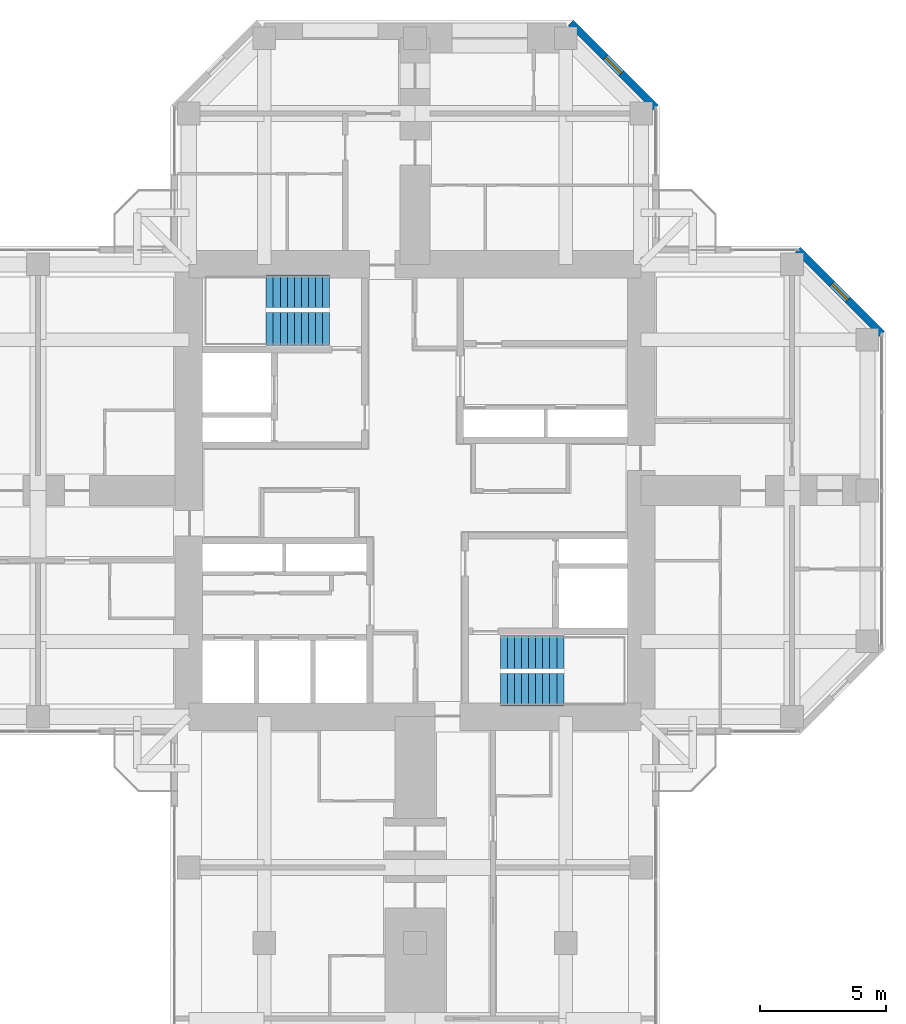
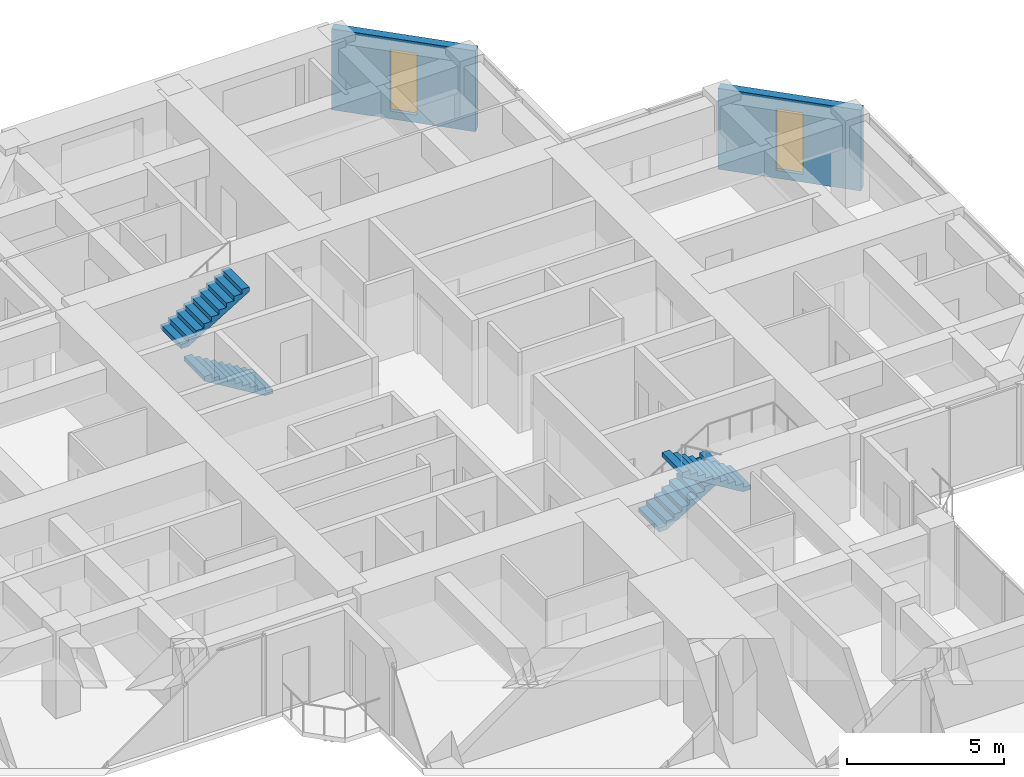
# One storey, part 13 of 14: 4 stair flights, 2 walls, 2 windows, 2 openings, 2 elements without a shape of their own.
"""IFC4 building model written with IfcOpenShell, lengths in metres."""

import ifcopenshell
import ifcopenshell.guid

model = None  # the IFC model being written
_history = None  # IfcOwnerHistory: only IFC2X3 demands one
_inside = {}  # id of a spatial element -> (the spatial element, [elements in it])
_under = {}  # id of a project, library or spatial element -> (it, [spatial elements below it])
_declared = {}  # id of a project -> (the project, [libraries it declares])
_typed = {}  # id of a type object -> (the type object, [elements of that type])
_made_of = {}  # id of a material, layer set ... -> (it, [elements and type objects made of it])


def new_model(schema):
    """Start an empty IFC model of exactly this schema.

    Asked for "IFC4X3", IfcOpenShell would pick the latest addendum, in which some entities
    have other attributes; the version numbers below select the first issue.
    IFC2X3 requires an IfcOwnerHistory on every rooted entity: one is made here for all.
    """
    global model, _history
    if schema == "IFC4X3":
        model = ifcopenshell.file(schema_version=(4, 3, 0, 0))
    else:
        model = ifcopenshell.file(schema=schema)
    _inside.clear()
    _under.clear()
    _declared.clear()
    _typed.clear()
    _made_of.clear()
    _history = None
    if model.schema == "IFC2X3":
        org = make("IfcOrganization", Name="unknown")
        user = make(
            "IfcPersonAndOrganization",
            ThePerson=make("IfcPerson", FamilyName="unknown"),
            TheOrganization=org,
        )
        app = make(
            "IfcApplication",
            ApplicationDeveloper=org,
            Version="unknown",
            ApplicationFullName="unknown",
            ApplicationIdentifier="unknown",
        )
        _history = make(
            "IfcOwnerHistory",
            OwningUser=user,
            OwningApplication=app,
            ChangeAction="ADDED",
            CreationDate=0,
        )
    return model


def make(cls, **values):
    """One entity of the class cls with the attributes given. An attribute that is None is left unset."""
    return model.create_entity(
        cls, **{name: value for name, value in values.items() if value is not None}
    )


def rooted(cls, **values):
    """An entity with a GlobalId (a new one), such as an element, a storey or a relation."""
    return make(cls, GlobalId=ifcopenshell.guid.new(), OwnerHistory=_history, **values)


def si_unit(unit_type, name, prefix=None):
    """IfcSIUnit, for example si_unit("LENGTHUNIT", "METRE", prefix="MILLI")."""
    return make("IfcSIUnit", UnitType=unit_type, Prefix=prefix, Name=name)


def assignment(units):
    """IfcUnitAssignment: the units of a project."""
    return None if units is None else make("IfcUnitAssignment", Units=units)


def point(xyz):
    """IfcCartesianPoint."""
    return None if xyz is None else make("IfcCartesianPoint", Coordinates=xyz)


def direction(xyz):
    """IfcDirection."""
    return None if xyz is None else make("IfcDirection", DirectionRatios=xyz)


def frame(location, z_axis=None, x_axis=None):
    """IfcAxis2Placement3D, a coordinate frame: its origin and axes. An axis left out is left unset."""
    return make(
        "IfcAxis2Placement3D",
        Location=point(location),
        Axis=direction(z_axis),
        RefDirection=direction(x_axis),
    )


def frame_2d(location, x_axis=None):
    """IfcAxis2Placement2D, a coordinate frame in the plane: its origin and x axis."""
    return make(
        "IfcAxis2Placement2D", Location=point(location), RefDirection=direction(x_axis)
    )


def origin():
    """The frame at (0, 0, 0) with its axes left unset."""
    return frame((0.0, 0.0, 0.0))


def place(relative_to, where):
    """IfcLocalPlacement: puts the frame where relative to a parent placement (None: the world)."""
    return make(
        "IfcLocalPlacement", PlacementRelTo=relative_to, RelativePlacement=where
    )


def context(
    kind, dimensions, precision=None, world=None, true_north=None, identifier=None
):
    """IfcGeometricRepresentationContext, for example the 3D "Model" context."""
    return make(
        "IfcGeometricRepresentationContext",
        ContextIdentifier=identifier,
        ContextType=kind,
        CoordinateSpaceDimension=dimensions,
        Precision=precision,
        WorldCoordinateSystem=world,
        TrueNorth=true_north,
    )


def subcontext(parent, identifier, kind, view, scale=None):
    """IfcGeometricRepresentationSubContext, for example "Body" below "Model"."""
    return make(
        "IfcGeometricRepresentationSubContext",
        ContextIdentifier=identifier,
        ContextType=kind,
        ParentContext=parent,
        TargetScale=scale,
        TargetView=view,
    )


def project(units=None, contexts=None):
    """IfcProject with its units and contexts."""
    return rooted(
        "IfcProject",
        Name="project",
        RepresentationContexts=contexts,
        UnitsInContext=assignment(units),
    )


def spatial(cls, under=None, at=None, **own):
    """A site, building, storey or space (cls), placed at a placement, below another one or the project."""
    s = rooted(cls, ObjectPlacement=at, **own)
    if under is not None:
        _under.setdefault(under.id(), (under, []))[1].append(s)
    return s


def polyline(points):
    """IfcPolyline through the points."""
    return make("IfcPolyline", Points=[point(p) for p in points])


def profile(cls, at=None, kind="AREA", **sizes):
    """A parametric profile (cls). Its sizes go by their IFC names, for example OverallWidth=200.0."""
    return make(cls, ProfileType=kind, Position=at, **sizes)


def rectangle(**sizes):
    """IfcRectangleProfileDef."""
    return profile("IfcRectangleProfileDef", **sizes)


def hollow_rectangle(**sizes):
    """IfcRectangleHollowProfileDef."""
    return profile("IfcRectangleHollowProfileDef", **sizes)


def outline(outer, holes=None, kind="AREA"):
    """IfcArbitraryClosedProfileDef: a profile drawn as a closed curve; with holes, ...WithVoids."""
    if holes is None:
        return make("IfcArbitraryClosedProfileDef", ProfileType=kind, OuterCurve=outer)
    return make(
        "IfcArbitraryProfileDefWithVoids",
        ProfileType=kind,
        OuterCurve=outer,
        InnerCurves=holes,
    )


def extrude(swept, where, along, depth):
    """IfcExtrudedAreaSolid: the profile swept, set in the frame where, extruded along a direction by depth."""
    return make(
        "IfcExtrudedAreaSolid",
        SweptArea=swept,
        Position=where,
        ExtrudedDirection=direction(along),
        Depth=depth,
    )


def shape(context_of_items, identifier, shape_type, items):
    """IfcShapeRepresentation: the items that make up one representation, for example the "Body"."""
    return make(
        "IfcShapeRepresentation",
        ContextOfItems=context_of_items,
        RepresentationIdentifier=identifier,
        RepresentationType=shape_type,
        Items=items,
    )


def material(Name=None, Category=None):
    """IfcMaterial."""
    return make("IfcMaterial", Name=Name, Category=Category)


def layer(
    of_material, thickness, ventilated=None, Name=None, Category=None, Priority=None
):
    """IfcMaterialLayer: one layer of a wall or slab, of a material (None: an air gap)."""
    return make(
        "IfcMaterialLayer",
        Material=of_material,
        LayerThickness=thickness,
        IsVentilated=ventilated,
        Name=Name,
        Category=Category,
        Priority=Priority,
    )


def layer_set(layers, Name=None):
    """IfcMaterialLayerSet."""
    return make("IfcMaterialLayerSet", MaterialLayers=layers, LayerSetName=Name)


def constituent(of_material, Name=None, Category=None, fraction=None):
    """IfcMaterialConstituent: one of the materials an element consists of."""
    return make(
        "IfcMaterialConstituent",
        Name=Name,
        Material=of_material,
        Fraction=fraction,
        Category=Category,
    )


def constituent_set(constituents=None, Name=None):
    """IfcMaterialConstituentSet."""
    return make(
        "IfcMaterialConstituentSet", Name=Name, MaterialConstituents=constituents
    )


def made_of(thing, what):
    """Note that an element or type object is made of a material, layer set ...; save() writes the relation."""
    if what is not None:
        _made_of.setdefault(what.id(), (what, []))[1].append(thing)
    return thing


def type_object(cls, material=None, **own):
    """A type object (cls), such as IfcWallType, which elements share."""
    return made_of(rooted(cls, **own), material)


def element(
    cls,
    number,
    at=None,
    inside=None,
    cuts=None,
    type_object=None,
    material=None,
    context=None,
    identifier="Body",
    shape_type=None,
    held_by="IfcProductDefinitionShape",
    body=None,
    shapes=None,
    **own,
):
    """One element of the class cls, such as IfcWall. Its Tag is "e" and its number.

    at: its placement. inside: the storey or other place that contains it. cuts: it is an
    opening in that element (IfcRelVoidsElement). A single representation is given by context,
    identifier, shape_type and body (its items); several are given by shapes. held_by: the class
    of the entity that holds the representations. save() writes the other relations.
    """
    e = rooted(cls, Tag="e%d" % number, ObjectPlacement=at, **own)
    if body is not None:
        shapes = [shape(context, identifier, shape_type, body)]
    if shapes is not None:
        e.Representation = make(held_by, Representations=shapes)
    if inside is not None:
        _inside.setdefault(inside.id(), (inside, []))[1].append(e)
    if cuts is not None:
        rooted(
            "IfcRelVoidsElement", RelatingBuildingElement=cuts, RelatedOpeningElement=e
        )
    if type_object is not None:
        _typed.setdefault(type_object.id(), (type_object, []))[1].append(e)
    return made_of(e, material)


def fill(opening, filler):
    """IfcRelFillsElement: the door or window that sits in an opening."""
    return rooted(
        "IfcRelFillsElement",
        RelatingOpeningElement=opening,
        RelatedBuildingElement=filler,
    )


def aggregate(whole, parts):
    """IfcRelAggregates: a whole, such as a stair, and the parts it consists of."""
    return rooted("IfcRelAggregates", RelatingObject=whole, RelatedObjects=parts)


def save(model, path):
    """Write the relations noted so far, then the file.

    IfcRelAggregates (storeys below a building ...), IfcRelContainedInSpatialStructure (elements
    in a storey), IfcRelDefinesByType, IfcRelAssociatesMaterial and IfcRelDeclares: one each for
    every whole, place, type object, material and project.
    """
    for whole, parts in _under.values():
        aggregate(whole, parts)
    for where, things in _inside.values():
        rooted(
            "IfcRelContainedInSpatialStructure",
            RelatedElements=things,
            RelatingStructure=where,
        )
    for kind, things in _typed.values():
        rooted("IfcRelDefinesByType", RelatedObjects=things, RelatingType=kind)
    for what, things in _made_of.values():
        rooted("IfcRelAssociatesMaterial", RelatedObjects=things, RelatingMaterial=what)
    for by, libraries in _declared.values():
        rooted("IfcRelDeclares", RelatingContext=by, RelatedDefinitions=libraries)
    model.write(path)


model = new_model("IFC4")

# Units and contexts
model_context = context("Model", 3, precision=1e-05, world=origin(), true_north=direction((0.0, 1.0)))
body_context = subcontext(model_context, "Body", "Model", "MODEL_VIEW")
ifc_project = project(units=[si_unit("LENGTHUNIT", "METRE"), si_unit("AREAUNIT", "SQUARE_METRE"), si_unit("VOLUMEUNIT", "CUBIC_METRE"), si_unit("PLANEANGLEUNIT", "RADIAN"), si_unit("MASSUNIT", "GRAM", prefix="KILO")], contexts=[model_context])

# Site, building, storey
site_placement = place(None, origin())
site = spatial("IfcSite", under=ifc_project, at=site_placement, CompositionType="ELEMENT")
building_placement = place(site_placement, origin())
building = spatial("IfcBuilding", under=site, at=building_placement, Name="Torre Cruceta", CompositionType="ELEMENT")
storey_placement = place(building_placement, frame((0.0, 0.0, 213.699951171875)))
storey = spatial("IfcBuildingStorey", under=building, at=storey_placement, Name="L54", CompositionType="ELEMENT", Elevation=213.699951171875)

# Wall, opening, window
ifc_material_1 = material(Name="Concrete G30 (fck 30 MPa)", Category="concrete")
ifc_layer = layer(ifc_material_1, 0.300048828125)
ifc_layer_set = layer_set([ifc_layer], Name="Concrete G30 (fck 30 MPa)")
wall_type = type_object("IfcWallType", Name="EXPOSED CONCRETE FACADE WALL 300", PredefinedType="SOLIDWALL", material=ifc_layer_set)
wall_1_placement = place(storey_placement, frame((18.570068359375, 6.236083984375, 0.0), z_axis=(0.0, 0.0, 1.0), x_axis=(-0.707106781187, 0.707106781187, 0.0)))
wall_1 = element("IfcWall", 1, at=wall_1_placement, inside=storey, type_object=wall_type, Name="EW1 facade wall L54 E chamfer 03", PredefinedType="SOLIDWALL", context=body_context, shape_type="SweptSolid", body=[
    extrude(rectangle(XDim=4.715087890625, YDim=0.300048828125, at=frame_2d((2.357421875, 0.0))), origin(), (0.0, 0.0, 1.0), 3.150146484375),
])
opening_1_placement = place(wall_1_placement, frame((1.907470703125, 0.0, 0.300048828125)))
opening_1 = element("IfcOpeningElement", 2, at=opening_1_placement, cuts=wall_1, Name="Opening WN5", PredefinedType="OPENING", context=body_context, shape_type="SweptSolid", body=[
    extrude(rectangle(XDim=0.89990234375, YDim=2.39990234375, at=frame_2d((0.449951171875, 1.199951171875))), frame((0.0, 0.159912109375, 0.0), z_axis=(0.0, -1.0, 0.0), x_axis=(1.0, 0.0, 0.0)), (0.0, 0.0, 1.0), 0.320068359375),
])
ifc_material_2 = material(Name="Aluminium window frame", Category="aluminium")
ifc_constituent_1 = constituent(ifc_material_2, Name="Frame")
ifc_material_3 = material(Name="Laminated insulating glass unit, low-iron clear", Category="glass")
ifc_constituent_2 = constituent(ifc_material_3, Name="Glazing")
ifc_constituent_set = constituent_set(constituents=[ifc_constituent_1, ifc_constituent_2], Name="Aluminium window")
window_type = type_object("IfcWindowType", Name="CHAMFER SLOT WINDOW 900X2400", PartitioningType="SINGLE_PANEL", PredefinedType="WINDOW", material=ifc_constituent_set)
window_1_placement = place(opening_1_placement, origin())
window_1 = element("IfcWindow", 3, at=window_1_placement, inside=storey, type_object=window_type, Name="WN5 L54 E 1", OverallHeight=2.39990234375, OverallWidth=0.89990234375, PartitioningType="SINGLE_PANEL", PredefinedType="WINDOW", context=body_context, shape_type="SweptSolid", body=[
    extrude(hollow_rectangle(XDim=0.89990234375, YDim=2.39990234375, WallThickness=0.06005859375, at=frame_2d((0.449951171875, 1.199951171875))), frame((0.0, 0.030029296875, 0.0), z_axis=(0.0, -1.0, 0.0), x_axis=(1.0, 0.0, 0.0)), (0.0, 0.0, 1.0), 0.06005859375),
    extrude(rectangle(XDim=0.77880859375, YDim=2.27880859375, at=frame_2d((0.449951171875, 1.199951171875))), frame((0.0, 0.030029296875, 0.0), z_axis=(0.0, -1.0, 0.0), x_axis=(1.0, 0.0, 0.0)), (0.0, 0.0, 1.0), 0.06005859375),
])
fill(opening_1, window_1)

wall_2_placement = place(storey_placement, frame((9.570068359375, 15.236083984375, 0.0), z_axis=(0.0, 0.0, 1.0), x_axis=(-0.707106781187, 0.707106781187, 0.0)))
wall_2 = element("IfcWall", 4, at=wall_2_placement, inside=storey, type_object=wall_type, Name="EW1 facade wall L54 N chamfer 06", PredefinedType="SOLIDWALL", context=body_context, shape_type="SweptSolid", body=[
    extrude(rectangle(XDim=4.75732421875, YDim=0.300048828125, at=frame_2d((2.378662109375, 0.0))), origin(), (0.0, 0.0, 1.0), 3.150146484375),
])
opening_2_placement = place(wall_2_placement, frame((1.9287109375, 0.0, 0.300048828125)))
opening_2 = element("IfcOpeningElement", 5, at=opening_2_placement, cuts=wall_2, Name="Opening WN5", PredefinedType="OPENING", context=body_context, shape_type="SweptSolid", body=[
    extrude(rectangle(XDim=0.89990234375, YDim=2.39990234375, at=frame_2d((0.449951171875, 1.199951171875))), frame((0.0, 0.159912109375, 0.0), z_axis=(0.0, -1.0, 0.0), x_axis=(1.0, 0.0, 0.0)), (0.0, 0.0, 1.0), 0.320068359375),
])
window_2_placement = place(opening_2_placement, origin())
window_2 = element("IfcWindow", 6, at=window_2_placement, inside=storey, type_object=window_type, Name="WN5 L54 N 1", OverallHeight=2.39990234375, OverallWidth=0.89990234375, PartitioningType="SINGLE_PANEL", PredefinedType="WINDOW", context=body_context, shape_type="SweptSolid", body=[
    extrude(hollow_rectangle(XDim=0.89990234375, YDim=2.39990234375, WallThickness=0.06005859375, at=frame_2d((0.449951171875, 1.199951171875))), frame((0.0, 0.030029296875, 0.0), z_axis=(0.0, -1.0, 0.0), x_axis=(1.0, 0.0, 0.0)), (0.0, 0.0, 1.0), 0.06005859375),
    extrude(rectangle(XDim=0.77880859375, YDim=2.27880859375, at=frame_2d((0.449951171875, 1.199951171875))), frame((0.0, 0.030029296875, 0.0), z_axis=(0.0, -1.0, 0.0), x_axis=(1.0, 0.0, 0.0)), (0.0, 0.0, 1.0), 0.06005859375),
])
fill(opening_2, window_2)

# Stair, stair flights
ifc_material_4 = material(Name="Concrete G30 (fck 30 MPa)", Category="concrete")
stair_type = type_object("IfcStairType", Name="STAIR HALF-TURN 1300", PredefinedType="HALF_TURN_STAIR", material=ifc_material_4)
stair_1_placement = place(storey_placement, origin())
stair_1 = element("IfcStair", 7, at=stair_1_placement, inside=storey, type_object=stair_type, Name="Stair ST1 L54", PredefinedType="HALF_TURN_STAIR")
ifc_material_5 = material(Name="Concrete G30 (fck 30 MPa)", Category="concrete")
stair_flight_type = type_object("IfcStairFlightType", Name="STAIR FLIGHT 1300", PredefinedType="STRAIGHT", material=ifc_material_5)
stair_flight_1_placement = place(storey_placement, frame((-3.39990234375, 6.425048828125, 0.0), z_axis=(0.0, 0.0, 1.0), x_axis=(-1.0, 0.0, 0.0)))
stair_flight_1 = element("IfcStairFlight", 8, at=stair_flight_1_placement, type_object=stair_flight_type, Name="ST1 flight 1", NumberOfRisers=10, NumberOfTreads=9, PredefinedType="STRAIGHT", RiserHeight=0.17, TreadLength=0.28, context=body_context, shape_type="SweptSolid", body=[
    extrude(outline(polyline([(0.0, 0.0), (0.0, 0.169921875), (0.280029296875, 0.169921875), (0.280029296875, 0.340087890625), (0.56005859375, 0.340087890625), (0.56005859375, 0.510009765625), (0.840087890625, 0.510009765625), (0.840087890625, 0.679931640625), (1.1201171875, 0.679931640625), (1.1201171875, 0.85009765625), (1.39990234375, 0.85009765625), (1.39990234375, 1.02001953125), (1.679931640625, 1.02001953125), (1.679931640625, 1.18994140625), (1.9599609375, 1.18994140625), (1.9599609375, 1.360107421875), (2.239990234375, 1.360107421875), (2.239990234375, 1.530029296875), (2.52001953125, 1.530029296875), (2.52001953125, 1.699951171875), (2.52001953125, 1.354736328125), (0.288818359375, 0.0), (0.0, 0.0)])), frame((0.0, 0.64990234375, 0.0), z_axis=(0.0, -1.0, 0.0), x_axis=(1.0, 0.0, 0.0)), (0.0, 0.0, 1.0), 1.300048828125),
])
stair_flight_2_placement = place(storey_placement, frame((-5.919921875, 7.925048828125, 1.699951171875), z_axis=(0.0, 0.0, 1.0), x_axis=(1.0, 0.0, 0.0)))
stair_flight_2 = element("IfcStairFlight", 9, at=stair_flight_2_placement, type_object=stair_flight_type, Name="ST1 flight 2", NumberOfRisers=10, NumberOfTreads=9, PredefinedType="STRAIGHT", RiserHeight=0.17, TreadLength=0.28, context=body_context, shape_type="SweptSolid", body=[
    extrude(outline(polyline([(0.0, 0.0), (0.0, 0.169921875), (0.280029296875, 0.169921875), (0.280029296875, 0.340087890625), (0.56005859375, 0.340087890625), (0.56005859375, 0.510009765625), (0.840087890625, 0.510009765625), (0.840087890625, 0.679931640625), (1.1201171875, 0.679931640625), (1.1201171875, 0.85009765625), (1.39990234375, 0.85009765625), (1.39990234375, 1.02001953125), (1.679931640625, 1.02001953125), (1.679931640625, 1.18994140625), (1.9599609375, 1.18994140625), (1.9599609375, 1.360107421875), (2.239990234375, 1.360107421875), (2.239990234375, 1.530029296875), (2.52001953125, 1.530029296875), (2.52001953125, 1.699951171875), (2.52001953125, 1.354736328125), (0.288818359375, 0.0), (0.0, 0.0)])), frame((0.0, 0.64990234375, 0.0), z_axis=(0.0, -1.0, 0.0), x_axis=(1.0, 0.0, 0.0)), (0.0, 0.0, 1.0), 1.300048828125),
])
aggregate(stair_1, [stair_flight_1, stair_flight_2])

stair_2_placement = place(storey_placement, origin())
stair_2 = element("IfcStair", 10, at=stair_2_placement, inside=storey, type_object=stair_type, Name="Stair ST2 L54", PredefinedType="HALF_TURN_STAIR")
stair_flight_3_placement = place(storey_placement, frame((3.39990234375, -6.425048828125, 0.0), z_axis=(0.0, 0.0, 1.0), x_axis=(1.0, 0.0, 0.0)))
stair_flight_3 = element("IfcStairFlight", 11, at=stair_flight_3_placement, type_object=stair_flight_type, Name="ST2 flight 1", NumberOfRisers=10, NumberOfTreads=9, PredefinedType="STRAIGHT", RiserHeight=0.17, TreadLength=0.28, context=body_context, shape_type="SweptSolid", body=[
    extrude(outline(polyline([(0.0, 0.0), (0.0, 0.169921875), (0.280029296875, 0.169921875), (0.280029296875, 0.340087890625), (0.56005859375, 0.340087890625), (0.56005859375, 0.510009765625), (0.840087890625, 0.510009765625), (0.840087890625, 0.679931640625), (1.1201171875, 0.679931640625), (1.1201171875, 0.85009765625), (1.39990234375, 0.85009765625), (1.39990234375, 1.02001953125), (1.679931640625, 1.02001953125), (1.679931640625, 1.18994140625), (1.9599609375, 1.18994140625), (1.9599609375, 1.360107421875), (2.239990234375, 1.360107421875), (2.239990234375, 1.530029296875), (2.52001953125, 1.530029296875), (2.52001953125, 1.699951171875), (2.52001953125, 1.354736328125), (0.288818359375, 0.0), (0.0, 0.0)])), frame((0.0, 0.64990234375, 0.0), z_axis=(0.0, -1.0, 0.0), x_axis=(1.0, 0.0, 0.0)), (0.0, 0.0, 1.0), 1.300048828125),
])
stair_flight_4_placement = place(storey_placement, frame((5.919921875, -7.925048828125, 1.699951171875), z_axis=(0.0, 0.0, 1.0), x_axis=(-1.0, 0.0, 0.0)))
stair_flight_4 = element("IfcStairFlight", 12, at=stair_flight_4_placement, type_object=stair_flight_type, Name="ST2 flight 2", NumberOfRisers=10, NumberOfTreads=9, PredefinedType="STRAIGHT", RiserHeight=0.17, TreadLength=0.28, context=body_context, shape_type="SweptSolid", body=[
    extrude(outline(polyline([(0.0, 0.0), (0.0, 0.169921875), (0.280029296875, 0.169921875), (0.280029296875, 0.340087890625), (0.56005859375, 0.340087890625), (0.56005859375, 0.510009765625), (0.840087890625, 0.510009765625), (0.840087890625, 0.679931640625), (1.1201171875, 0.679931640625), (1.1201171875, 0.85009765625), (1.39990234375, 0.85009765625), (1.39990234375, 1.02001953125), (1.679931640625, 1.02001953125), (1.679931640625, 1.18994140625), (1.9599609375, 1.18994140625), (1.9599609375, 1.360107421875), (2.239990234375, 1.360107421875), (2.239990234375, 1.530029296875), (2.52001953125, 1.530029296875), (2.52001953125, 1.699951171875), (2.52001953125, 1.354736328125), (0.288818359375, 0.0), (0.0, 0.0)])), frame((0.0, 0.64990234375, 0.0), z_axis=(0.0, -1.0, 0.0), x_axis=(1.0, 0.0, 0.0)), (0.0, 0.0, 1.0), 1.300048828125),
])
aggregate(stair_2, [stair_flight_3, stair_flight_4])

save(model, "model.ifc")
